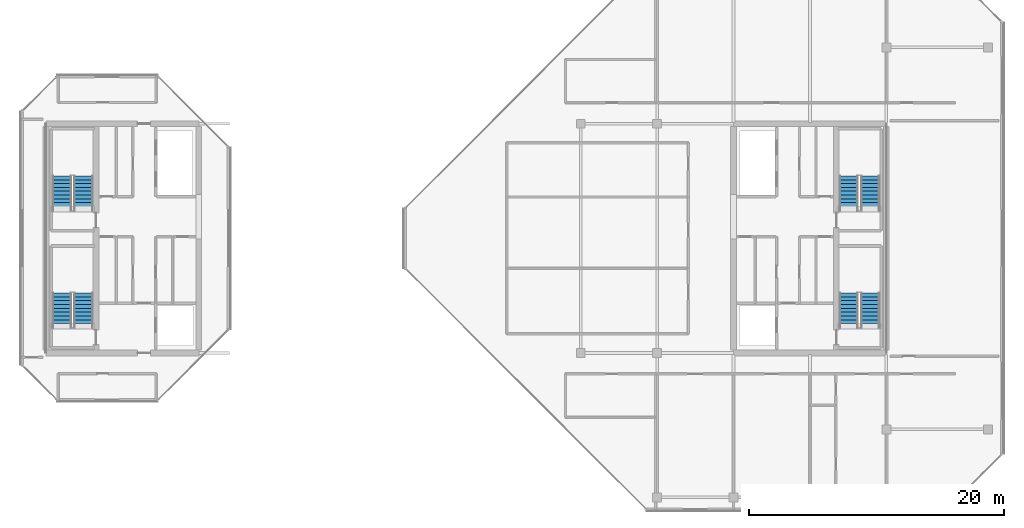
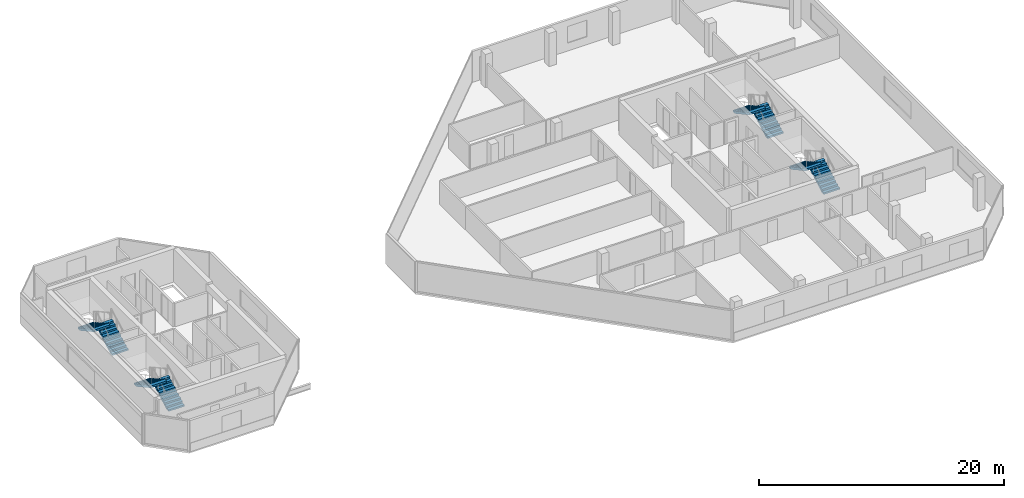
# One storey, part 26 of 29: 8 stair flights, 4 elements without a shape of their own.
"""IFC4 building model written with IfcOpenShell, lengths in metres."""

from ifc_helpers import new_model, si_unit, direction, frame, origin, place, context, subcontext, project, spatial, polyline, outline, extrude, material, type_object, element, aggregate, save


model = new_model("IFC4")

# Units and contexts
model_context = context("Model", 3, precision=1e-05, world=origin(), true_north=direction((0.0, 1.0)))
body_context = subcontext(model_context, "Body", "Model", "MODEL_VIEW")
ifc_project = project(units=[si_unit("LENGTHUNIT", "METRE"), si_unit("AREAUNIT", "SQUARE_METRE"), si_unit("VOLUMEUNIT", "CUBIC_METRE"), si_unit("PLANEANGLEUNIT", "RADIAN"), si_unit("MASSUNIT", "GRAM", prefix="KILO")], contexts=[model_context])

# Site, building, storey
site_placement = place(None, origin())
site = spatial("IfcSite", under=ifc_project, at=site_placement, CompositionType="ELEMENT")
building_placement = place(site_placement, origin())
building = spatial("IfcBuilding", under=site, at=building_placement, Name="Tanjung Sevakor Pilgrim Tower", CompositionType="ELEMENT")
storey_placement = place(building_placement, frame((0.0, 0.0, 235.949951171875)))
storey = spatial("IfcBuildingStorey", under=building, at=storey_placement, Name="L66", CompositionType="ELEMENT", Elevation=235.949951171875)

# Stair, stair flights
ifc_material_1 = material(Name="Concrete C40/50", Category="concrete")
stair_type = type_object("IfcStairType", Name="STAIR-ST-CR150", PredefinedType="HALF_TURN_STAIR", material=ifc_material_1)
stair_1_placement = place(storey_placement, origin())
stair_1 = element("IfcStair", 1, at=stair_1_placement, inside=storey, type_object=stair_type, Name="L66 West Core Exit Stair 1", PredefinedType="HALF_TURN_STAIR")
ifc_material_2 = material(Name="Concrete C40/50", Category="concrete")
stair_flight_type = type_object("IfcStairFlightType", Name="FLIGHT-ST-CR150", PredefinedType="STRAIGHT", material=ifc_material_2)
stair_flight_1_placement = place(storey_placement, frame((26.949951171875, 26.60009765625, 0.0), z_axis=(0.0, 0.0, 1.0), x_axis=(0.0, 1.0, 0.0)))
stair_flight_1 = element("IfcStairFlight", 2, at=stair_flight_1_placement, type_object=stair_flight_type, Name="TS-W1 flight 1", NumberOfRisers=10, NumberOfTreads=9, PredefinedType="STRAIGHT", RiserHeight=0.165, TreadLength=0.3, context=body_context, shape_type="SweptSolid", body=[
    extrude(outline(polyline([(0.0, 0.0), (0.0, 0.1650390625), (0.300048828125, 0.1650390625), (0.300048828125, 0.330078125), (0.60009765625, 0.330078125), (0.60009765625, 0.4951171875), (0.89990234375, 0.4951171875), (0.89990234375, 0.659912109375), (1.199951171875, 0.659912109375), (1.199951171875, 0.824951171875), (1.5, 0.824951171875), (1.5, 0.989990234375), (1.800048828125, 0.989990234375), (1.800048828125, 1.155029296875), (2.10009765625, 1.155029296875), (2.10009765625, 1.320068359375), (2.39990234375, 1.320068359375), (2.39990234375, 1.485107421875), (2.699951171875, 1.485107421875), (2.699951171875, 1.64990234375), (2.699951171875, 1.302490234375), (0.331787109375, 0.0), (0.0, 0.0)])), frame((0.0, 0.75, 0.0), z_axis=(0.0, -1.0, 0.0), x_axis=(1.0, 0.0, 0.0)), (0.0, 0.0, 1.0), 1.5),
])
stair_flight_2_placement = place(storey_placement, frame((25.25, 29.300048828125, 1.650146484375), z_axis=(0.0, 0.0, 1.0), x_axis=(0.0, -1.0, 0.0)))
stair_flight_2 = element("IfcStairFlight", 3, at=stair_flight_2_placement, type_object=stair_flight_type, Name="TS-W1 flight 2", NumberOfRisers=10, NumberOfTreads=9, PredefinedType="STRAIGHT", RiserHeight=0.165, TreadLength=0.3, context=body_context, shape_type="SweptSolid", body=[
    extrude(outline(polyline([(0.0, 0.0), (0.0, 0.1650390625), (0.300048828125, 0.1650390625), (0.300048828125, 0.330078125), (0.60009765625, 0.330078125), (0.60009765625, 0.4951171875), (0.89990234375, 0.4951171875), (0.89990234375, 0.659912109375), (1.199951171875, 0.659912109375), (1.199951171875, 0.824951171875), (1.5, 0.824951171875), (1.5, 0.989990234375), (1.800048828125, 0.989990234375), (1.800048828125, 1.155029296875), (2.10009765625, 1.155029296875), (2.10009765625, 1.320068359375), (2.39990234375, 1.320068359375), (2.39990234375, 1.485107421875), (2.699951171875, 1.485107421875), (2.699951171875, 1.64990234375), (2.699951171875, 1.302490234375), (0.331787109375, 0.0), (0.0, 0.0)])), frame((0.0, 0.75, 0.0), z_axis=(0.0, -1.0, 0.0), x_axis=(1.0, 0.0, 0.0)), (0.0, 0.0, 1.0), 1.5),
])
aggregate(stair_1, [stair_flight_1, stair_flight_2])

stair_2_placement = place(storey_placement, origin())
stair_2 = element("IfcStair", 4, at=stair_2_placement, inside=storey, type_object=stair_type, Name="L66 West Core Exit Stair 2", PredefinedType="HALF_TURN_STAIR")
stair_flight_3_placement = place(storey_placement, frame((26.949951171875, 35.800048828125, 0.0), z_axis=(0.0, 0.0, 1.0), x_axis=(0.0, 1.0, 0.0)))
stair_flight_3 = element("IfcStairFlight", 5, at=stair_flight_3_placement, type_object=stair_flight_type, Name="TS-W2 flight 1", NumberOfRisers=10, NumberOfTreads=9, PredefinedType="STRAIGHT", RiserHeight=0.165, TreadLength=0.3, context=body_context, shape_type="SweptSolid", body=[
    extrude(outline(polyline([(0.0, 0.0), (0.0, 0.1650390625), (0.300048828125, 0.1650390625), (0.300048828125, 0.330078125), (0.60009765625, 0.330078125), (0.60009765625, 0.4951171875), (0.89990234375, 0.4951171875), (0.89990234375, 0.659912109375), (1.199951171875, 0.659912109375), (1.199951171875, 0.824951171875), (1.5, 0.824951171875), (1.5, 0.989990234375), (1.800048828125, 0.989990234375), (1.800048828125, 1.155029296875), (2.10009765625, 1.155029296875), (2.10009765625, 1.320068359375), (2.39990234375, 1.320068359375), (2.39990234375, 1.485107421875), (2.699951171875, 1.485107421875), (2.699951171875, 1.64990234375), (2.699951171875, 1.302490234375), (0.331787109375, 0.0), (0.0, 0.0)])), frame((0.0, 0.75, 0.0), z_axis=(0.0, -1.0, 0.0), x_axis=(1.0, 0.0, 0.0)), (0.0, 0.0, 1.0), 1.5),
])
stair_flight_4_placement = place(storey_placement, frame((25.25, 38.5, 1.650146484375), z_axis=(0.0, 0.0, 1.0), x_axis=(0.0, -1.0, 0.0)))
stair_flight_4 = element("IfcStairFlight", 6, at=stair_flight_4_placement, type_object=stair_flight_type, Name="TS-W2 flight 2", NumberOfRisers=10, NumberOfTreads=9, PredefinedType="STRAIGHT", RiserHeight=0.165, TreadLength=0.3, context=body_context, shape_type="SweptSolid", body=[
    extrude(outline(polyline([(0.0, 0.0), (0.0, 0.1650390625), (0.300048828125, 0.1650390625), (0.300048828125, 0.330078125), (0.60009765625, 0.330078125), (0.60009765625, 0.4951171875), (0.89990234375, 0.4951171875), (0.89990234375, 0.659912109375), (1.199951171875, 0.659912109375), (1.199951171875, 0.824951171875), (1.5, 0.824951171875), (1.5, 0.989990234375), (1.800048828125, 0.989990234375), (1.800048828125, 1.155029296875), (2.10009765625, 1.155029296875), (2.10009765625, 1.320068359375), (2.39990234375, 1.320068359375), (2.39990234375, 1.485107421875), (2.699951171875, 1.485107421875), (2.699951171875, 1.64990234375), (2.699951171875, 1.302490234375), (0.331787109375, 0.0), (0.0, 0.0)])), frame((0.0, 0.75, 0.0), z_axis=(0.0, -1.0, 0.0), x_axis=(1.0, 0.0, 0.0)), (0.0, 0.0, 1.0), 1.5),
])
aggregate(stair_2, [stair_flight_3, stair_flight_4])

stair_3_placement = place(storey_placement, origin())
stair_3 = element("IfcStair", 7, at=stair_3_placement, inside=storey, type_object=stair_type, Name="L66 East Core Exit Stair 1", PredefinedType="HALF_TURN_STAIR")
stair_flight_5_placement = place(storey_placement, frame((88.75, 26.60009765625, 0.0), z_axis=(0.0, 0.0, 1.0), x_axis=(0.0, 1.0, 0.0)))
stair_flight_5 = element("IfcStairFlight", 8, at=stair_flight_5_placement, type_object=stair_flight_type, Name="TS-E1 flight 1", NumberOfRisers=10, NumberOfTreads=9, PredefinedType="STRAIGHT", RiserHeight=0.165, TreadLength=0.3, context=body_context, shape_type="SweptSolid", body=[
    extrude(outline(polyline([(0.0, 0.0), (0.0, 0.1650390625), (0.300048828125, 0.1650390625), (0.300048828125, 0.330078125), (0.60009765625, 0.330078125), (0.60009765625, 0.4951171875), (0.89990234375, 0.4951171875), (0.89990234375, 0.659912109375), (1.199951171875, 0.659912109375), (1.199951171875, 0.824951171875), (1.5, 0.824951171875), (1.5, 0.989990234375), (1.800048828125, 0.989990234375), (1.800048828125, 1.155029296875), (2.10009765625, 1.155029296875), (2.10009765625, 1.320068359375), (2.39990234375, 1.320068359375), (2.39990234375, 1.485107421875), (2.699951171875, 1.485107421875), (2.699951171875, 1.64990234375), (2.699951171875, 1.302490234375), (0.331787109375, 0.0), (0.0, 0.0)])), frame((0.0, 0.75, 0.0), z_axis=(0.0, -1.0, 0.0), x_axis=(1.0, 0.0, 0.0)), (0.0, 0.0, 1.0), 1.5),
])
stair_flight_6_placement = place(storey_placement, frame((87.050048828125, 29.300048828125, 1.650146484375), z_axis=(0.0, 0.0, 1.0), x_axis=(0.0, -1.0, 0.0)))
stair_flight_6 = element("IfcStairFlight", 9, at=stair_flight_6_placement, type_object=stair_flight_type, Name="TS-E1 flight 2", NumberOfRisers=10, NumberOfTreads=9, PredefinedType="STRAIGHT", RiserHeight=0.165, TreadLength=0.3, context=body_context, shape_type="SweptSolid", body=[
    extrude(outline(polyline([(0.0, 0.0), (0.0, 0.1650390625), (0.300048828125, 0.1650390625), (0.300048828125, 0.330078125), (0.60009765625, 0.330078125), (0.60009765625, 0.4951171875), (0.89990234375, 0.4951171875), (0.89990234375, 0.659912109375), (1.199951171875, 0.659912109375), (1.199951171875, 0.824951171875), (1.5, 0.824951171875), (1.5, 0.989990234375), (1.800048828125, 0.989990234375), (1.800048828125, 1.155029296875), (2.10009765625, 1.155029296875), (2.10009765625, 1.320068359375), (2.39990234375, 1.320068359375), (2.39990234375, 1.485107421875), (2.699951171875, 1.485107421875), (2.699951171875, 1.64990234375), (2.699951171875, 1.302490234375), (0.331787109375, 0.0), (0.0, 0.0)])), frame((0.0, 0.75, 0.0), z_axis=(0.0, -1.0, 0.0), x_axis=(1.0, 0.0, 0.0)), (0.0, 0.0, 1.0), 1.5),
])
aggregate(stair_3, [stair_flight_5, stair_flight_6])

stair_4_placement = place(storey_placement, origin())
stair_4 = element("IfcStair", 10, at=stair_4_placement, inside=storey, type_object=stair_type, Name="L66 East Core Exit Stair 2", PredefinedType="HALF_TURN_STAIR")
stair_flight_7_placement = place(storey_placement, frame((88.75, 35.800048828125, 0.0), z_axis=(0.0, 0.0, 1.0), x_axis=(0.0, 1.0, 0.0)))
stair_flight_7 = element("IfcStairFlight", 11, at=stair_flight_7_placement, type_object=stair_flight_type, Name="TS-E2 flight 1", NumberOfRisers=10, NumberOfTreads=9, PredefinedType="STRAIGHT", RiserHeight=0.165, TreadLength=0.3, context=body_context, shape_type="SweptSolid", body=[
    extrude(outline(polyline([(0.0, 0.0), (0.0, 0.1650390625), (0.300048828125, 0.1650390625), (0.300048828125, 0.330078125), (0.60009765625, 0.330078125), (0.60009765625, 0.4951171875), (0.89990234375, 0.4951171875), (0.89990234375, 0.659912109375), (1.199951171875, 0.659912109375), (1.199951171875, 0.824951171875), (1.5, 0.824951171875), (1.5, 0.989990234375), (1.800048828125, 0.989990234375), (1.800048828125, 1.155029296875), (2.10009765625, 1.155029296875), (2.10009765625, 1.320068359375), (2.39990234375, 1.320068359375), (2.39990234375, 1.485107421875), (2.699951171875, 1.485107421875), (2.699951171875, 1.64990234375), (2.699951171875, 1.302490234375), (0.331787109375, 0.0), (0.0, 0.0)])), frame((0.0, 0.75, 0.0), z_axis=(0.0, -1.0, 0.0), x_axis=(1.0, 0.0, 0.0)), (0.0, 0.0, 1.0), 1.5),
])
stair_flight_8_placement = place(storey_placement, frame((87.050048828125, 38.5, 1.650146484375), z_axis=(0.0, 0.0, 1.0), x_axis=(0.0, -1.0, 0.0)))
stair_flight_8 = element("IfcStairFlight", 12, at=stair_flight_8_placement, type_object=stair_flight_type, Name="TS-E2 flight 2", NumberOfRisers=10, NumberOfTreads=9, PredefinedType="STRAIGHT", RiserHeight=0.165, TreadLength=0.3, context=body_context, shape_type="SweptSolid", body=[
    extrude(outline(polyline([(0.0, 0.0), (0.0, 0.1650390625), (0.300048828125, 0.1650390625), (0.300048828125, 0.330078125), (0.60009765625, 0.330078125), (0.60009765625, 0.4951171875), (0.89990234375, 0.4951171875), (0.89990234375, 0.659912109375), (1.199951171875, 0.659912109375), (1.199951171875, 0.824951171875), (1.5, 0.824951171875), (1.5, 0.989990234375), (1.800048828125, 0.989990234375), (1.800048828125, 1.155029296875), (2.10009765625, 1.155029296875), (2.10009765625, 1.320068359375), (2.39990234375, 1.320068359375), (2.39990234375, 1.485107421875), (2.699951171875, 1.485107421875), (2.699951171875, 1.64990234375), (2.699951171875, 1.302490234375), (0.331787109375, 0.0), (0.0, 0.0)])), frame((0.0, 0.75, 0.0), z_axis=(0.0, -1.0, 0.0), x_axis=(1.0, 0.0, 0.0)), (0.0, 0.0, 1.0), 1.5),
])
aggregate(stair_4, [stair_flight_7, stair_flight_8])

save(model, "model.ifc")
